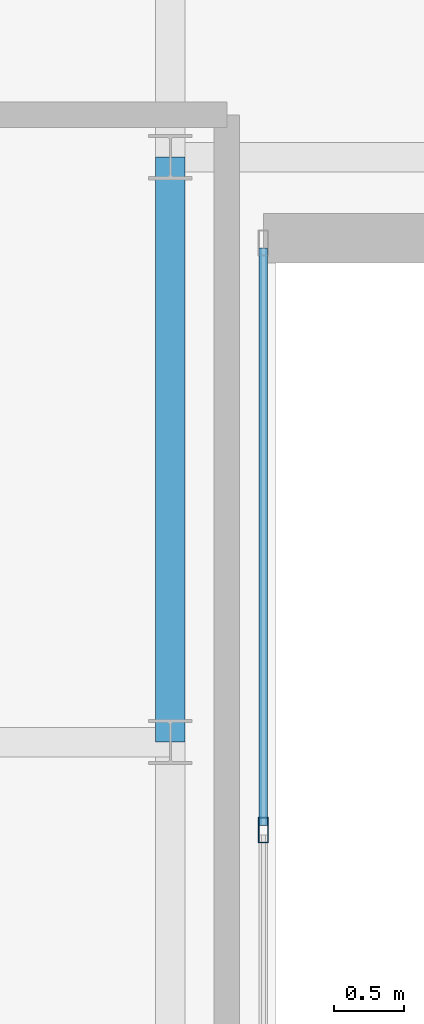
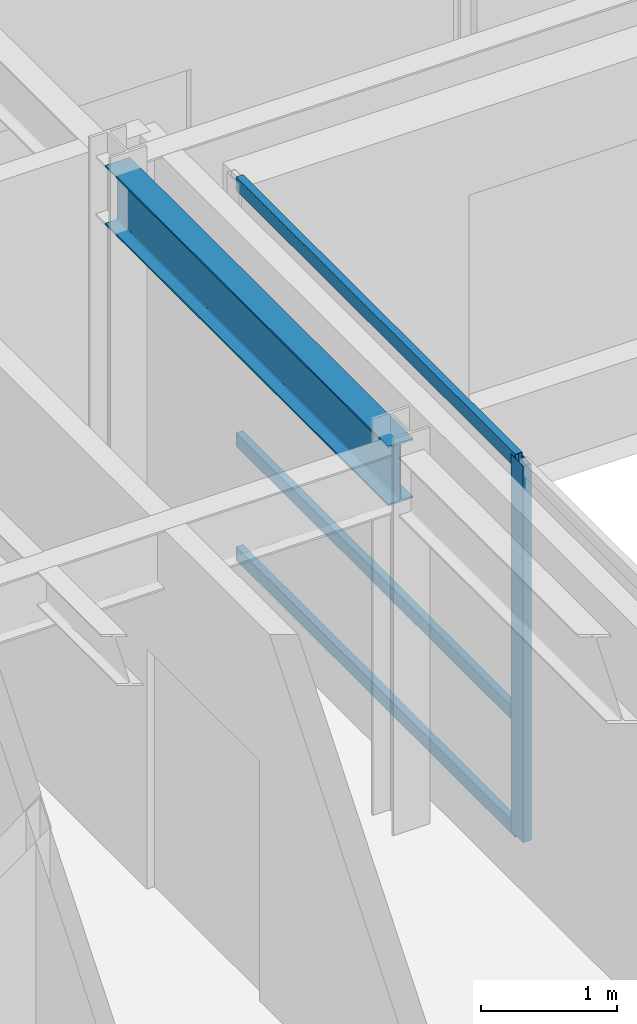
# One storey, part 6 of 18: 4 members, 1 beam, 1 element without a shape of its own.
"""IFC4 building model written with IfcOpenShell, lengths in metres."""

from ifc_helpers import new_model, si_unit, direction, frame, origin, origin_2d, place, context, subcontext, project, spatial, hollow_rectangle, i_section, extrude, source, transform, mapped, material, layer, layer_set, material_profile, profile_set, type_object, type_shapes, element, aggregate, save


model = new_model("IFC4")

# Units and contexts
model_context = context("Model", 3, precision=1e-05, world=origin(), true_north=direction((0.0, 1.0)))
body_context = subcontext(model_context, "Body", "Model", "MODEL_VIEW")
ifc_project = project(units=[si_unit("LENGTHUNIT", "METRE"), si_unit("AREAUNIT", "SQUARE_METRE"), si_unit("VOLUMEUNIT", "CUBIC_METRE"), si_unit("PLANEANGLEUNIT", "RADIAN"), si_unit("MASSUNIT", "GRAM", prefix="KILO")], contexts=[model_context])

# Site, building, storey
site_placement = place(None, origin())
site = spatial("IfcSite", under=ifc_project, at=site_placement, CompositionType="ELEMENT")
building_placement = place(site_placement, origin())
building = spatial("IfcBuilding", under=site, at=building_placement, Name="Tolvann Quenvar Hotel", CompositionType="ELEMENT")
storey_placement = place(building_placement, frame((0.0, 0.0, 252.300048828125)))
storey = spatial("IfcBuildingStorey", under=building, at=storey_placement, Name="L67", CompositionType="ELEMENT", Elevation=252.300048828125)

# Beam
ifc_material_1 = material(Name="Steel Grade 350", Category="steel")
ifc_material_profile_1 = material_profile(ifc_material_1, i_section(OverallWidth=0.208984375, OverallDepth=0.532958984375, WebThickness=0.01025390625, FlangeThickness=0.015625, FilletRadius=0.013916015625, at=origin_2d()), Name="530UB92")
ifc_profile_set_1 = profile_set([ifc_material_profile_1], Name="Steel Grade 350")
beam_type = type_object("IfcBeamType", Name="BM_GIRD_530UB92", PredefinedType="BEAM", material=ifc_profile_set_1)
shared_shape_1 = source(origin(), body_context, "Body", "SweptSolid", [
    extrude(i_section(OverallWidth=0.208984375, OverallDepth=0.532958984375, WebThickness=0.01025390625, FlangeThickness=0.015625, FilletRadius=0.013916015625, at=origin_2d()), origin(), (0.0, 0.0, 1.0), 4.14990234375),
])
type_shapes(beam_type, [shared_shape_1])
beam_placement = place(storey_placement, frame((14.449951171875, 16.0, 3.103515625), z_axis=(0.0, 1.0, 0.0), x_axis=(-1.0, 0.0, 0.0)))
element("IfcBeam", 1, at=beam_placement, inside=storey, type_object=beam_type, Name="BM-L67-NS-D4-D4P", PredefinedType="BEAM", context=body_context, shape_type="MappedRepresentation", body=[
    mapped(shared_shape_1, transform((0.0, 0.0, 0.0), x_axis=(1.0, 0.0, 0.0), y_axis=(0.0, 1.0, 0.0), z_axis=(0.0, 0.0, 1.0), scale=1.0)),
])

# Curtain wall, members
ifc_material_2 = material(Name="Thermally broken anodised architectural aluminium 6063-T6 and laminated low-E glass", Category="aluminium")
ifc_layer = layer(ifc_material_2, 0.179931640625)
ifc_layer_set = layer_set([ifc_layer], Name="Thermally broken anodised architectural aluminium 6063-T6 and laminated low-E glass")
curtain_wall_type = type_object("IfcCurtainWallType", Name="CW_SYS_PORTAL_05", PredefinedType="USERDEFINED", material=ifc_layer_set)
curtain_wall_placement = place(storey_placement, origin())
curtain_wall = element("IfcCurtainWall", 2, at=curtain_wall_placement, inside=storey, type_object=curtain_wall_type, Name="Curtain Wall CW-PORTAL-05 (CWR-L67-E05)", ObjectType="UNITISED CURTAIN WALL", PredefinedType="USERDEFINED")
ifc_material_3 = material(Name="Anodised architectural aluminium 6063-T6 framing", Category="aluminium")
ifc_material_profile_2 = material_profile(ifc_material_3, hollow_rectangle(XDim=0.070068359375, YDim=0.179931640625, WallThickness=0.00390625, at=origin_2d()), Name="180x70x4RHS")
ifc_profile_set_2 = profile_set([ifc_material_profile_2], Name="Anodised architectural aluminium 6063-T6 framing")
member_type_1 = type_object("IfcMemberType", Name="CW_MULL_180x70", PredefinedType="MULLION", material=ifc_profile_set_2)
shared_shape_2 = source(origin(), body_context, "Body", "SweptSolid", [
    extrude(hollow_rectangle(XDim=0.070068359375, YDim=0.179931640625, WallThickness=0.00390625, at=origin_2d()), origin(), (0.0, 0.0, 1.0), 3.369873046875),
])
type_shapes(member_type_1, [shared_shape_2])
member_1_placement = place(storey_placement, frame((15.110107421875, 15.375, 0.0), z_axis=(0.0, 0.0, 1.0), x_axis=(-1.0, 0.0, 0.0)))
member_1 = element("IfcMember", 3, at=member_1_placement, type_object=member_type_1, Name="CW-PORTAL-05 mullion 4", PredefinedType="MULLION", context=body_context, shape_type="MappedRepresentation", body=[
    mapped(shared_shape_2, transform((0.0, 0.0, 0.0), x_axis=(1.0, 0.0, 0.0), y_axis=(0.0, 1.0, 0.0), z_axis=(0.0, 0.0, 1.0), scale=1.0)),
])
ifc_material_profile_3 = material_profile(ifc_material_3, hollow_rectangle(XDim=0.06005859375, YDim=0.1201171875, WallThickness=0.00341796875, at=origin_2d()), Name="120x60x3.5RHS")
ifc_profile_set_3 = profile_set([ifc_material_profile_3], Name="Anodised architectural aluminium 6063-T6 framing")
member_type_2 = type_object("IfcMemberType", Name="CW_TRAN_120x60", PredefinedType="USERDEFINED", material=ifc_profile_set_3)
shared_shape_3 = source(origin(), body_context, "Body", "SweptSolid", [
    extrude(hollow_rectangle(XDim=0.06005859375, YDim=0.1201171875, WallThickness=0.00341796875, at=origin_2d()), origin(), (0.0, 0.0, 1.0), 4.094970703125),
])
type_shapes(member_type_2, [shared_shape_3])
member_2_placement = place(storey_placement, frame((15.110107421875, 15.409912109375, 0.030029296875), z_axis=(0.0, 1.0, 0.0), x_axis=(-1.0, 0.0, 0.0)))
member_2 = element("IfcMember", 4, at=member_2_placement, type_object=member_type_2, Name="CW-PORTAL-05 transom 4.1", ObjectType="TRANSOM", PredefinedType="USERDEFINED", context=body_context, shape_type="MappedRepresentation", body=[
    mapped(shared_shape_3, transform((0.0, 0.0, 0.0), x_axis=(1.0, 0.0, 0.0), y_axis=(0.0, 1.0, 0.0), z_axis=(0.0, 0.0, 1.0), scale=1.0)),
])
member_3_placement = place(storey_placement, frame((15.110107421875, 15.409912109375, 1.050048828125), z_axis=(0.0, 1.0, 0.0), x_axis=(-1.0, 0.0, 0.0)))
member_3 = element("IfcMember", 5, at=member_3_placement, type_object=member_type_2, Name="CW-PORTAL-05 transom 4.2", ObjectType="TRANSOM", PredefinedType="USERDEFINED", context=body_context, shape_type="MappedRepresentation", body=[
    mapped(shared_shape_3, transform((0.0, 0.0, 0.0), x_axis=(1.0, 0.0, 0.0), y_axis=(0.0, 1.0, 0.0), z_axis=(0.0, 0.0, 1.0), scale=1.0)),
])
member_4_placement = place(storey_placement, frame((15.110107421875, 15.409912109375, 3.33984375), z_axis=(0.0, 1.0, 0.0), x_axis=(-1.0, 0.0, 0.0)))
member_4 = element("IfcMember", 6, at=member_4_placement, type_object=member_type_2, Name="CW-PORTAL-05 transom 4.3", ObjectType="TRANSOM", PredefinedType="USERDEFINED", context=body_context, shape_type="MappedRepresentation", body=[
    mapped(shared_shape_3, transform((0.0, 0.0, 0.0), x_axis=(1.0, 0.0, 0.0), y_axis=(0.0, 1.0, 0.0), z_axis=(0.0, 0.0, 1.0), scale=1.0)),
])
aggregate(curtain_wall, [member_1, member_2, member_3, member_4])

save(model, "model.ifc")
